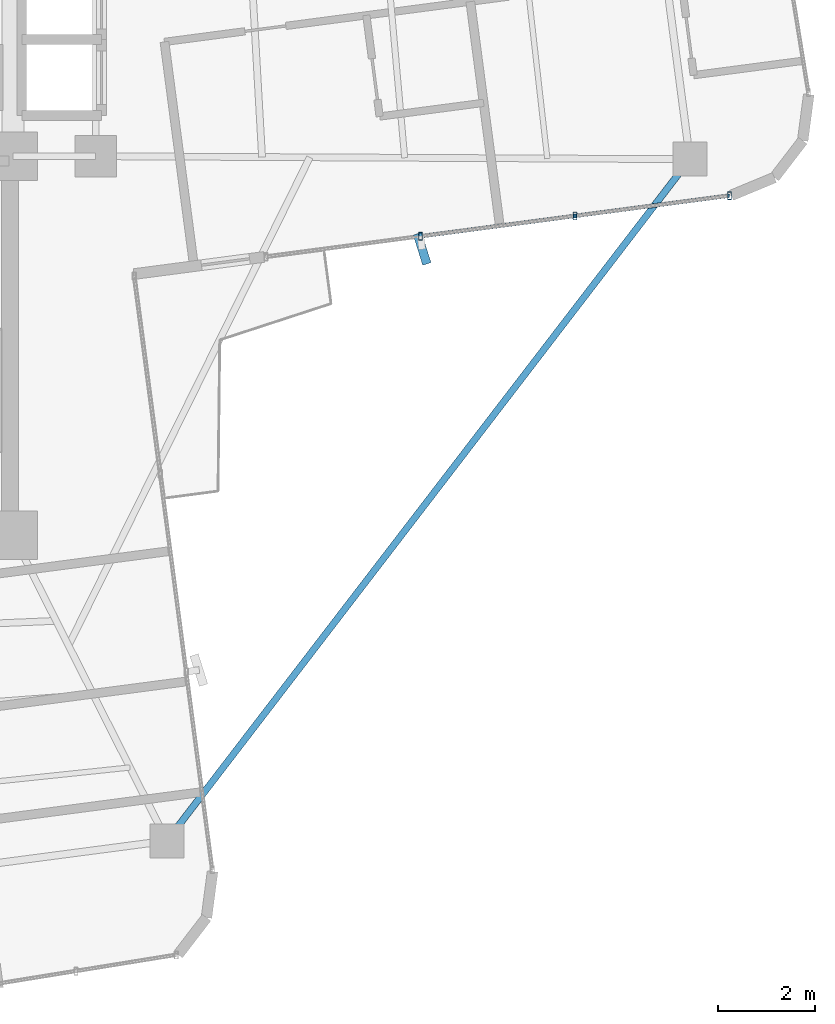
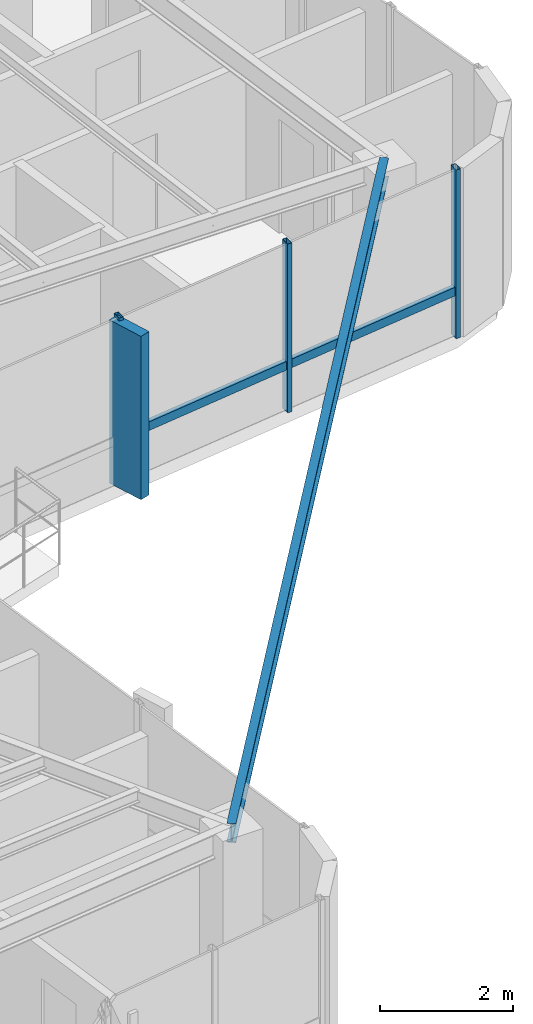
# One storey, part 12 of 23: 6 members, 1 beam, 1 element without a shape of its own.
"""IFC4 building model written with IfcOpenShell, lengths in metres."""

from ifc_helpers import new_model, si_unit, direction, frame, origin, origin_2d, place, context, subcontext, project, spatial, rectangle, hollow_rectangle, i_section, extrude, source, transform, mapped, material, material_profile, profile_set, type_object, element, aggregate, save


model = new_model("IFC4")

# Units and contexts
model_context = context("Model", 3, precision=1e-05, world=origin(), true_north=direction((0.0, 1.0)))
body_context = subcontext(model_context, "Body", "Model", "MODEL_VIEW")
ifc_project = project(units=[si_unit("LENGTHUNIT", "METRE"), si_unit("AREAUNIT", "SQUARE_METRE"), si_unit("VOLUMEUNIT", "CUBIC_METRE"), si_unit("PLANEANGLEUNIT", "RADIAN"), si_unit("MASSUNIT", "GRAM", prefix="KILO")], contexts=[model_context])

# Site, building, storey
site_placement = place(None, origin())
site = spatial("IfcSite", under=ifc_project, at=site_placement, CompositionType="ELEMENT")
building_placement = place(site_placement, origin())
building = spatial("IfcBuilding", under=site, at=building_placement, Name="Sahyath Konkavel Grand Hotel", CompositionType="ELEMENT")
storey_placement = place(building_placement, frame((0.0, 0.0, 254.550048828125)))
storey = spatial("IfcBuildingStorey", under=building, at=storey_placement, Name="L71", CompositionType="ELEMENT", Elevation=254.550048828125)

# Beam
ifc_material_1 = material(Name="Steel E350", Category="steel")
ifc_material_profile_1 = material_profile(ifc_material_1, i_section(OverallWidth=0.139892578125, OverallDepth=0.35009765625, WebThickness=0.008056640625, FlangeThickness=0.01416015625, FilletRadius=0.013916015625, at=origin_2d()), Name="ISMB 350")
ifc_profile_set_1 = profile_set([ifc_material_profile_1], Name="Steel E350")
beam_type = type_object("IfcBeamType", Name="BM-ISMB350", PredefinedType="BEAM", material=ifc_profile_set_1)
shared_shape_1 = source(origin(), body_context, "Body", "SweptSolid", [
    extrude(i_section(OverallWidth=0.139892578125, OverallDepth=0.35009765625, WebThickness=0.008056640625, FlangeThickness=0.01416015625, FilletRadius=0.013916015625, at=origin_2d()), origin(), (0.0, 0.0, 1.0), 17.676025390625),
])
beam_placement = place(storey_placement, frame((17.725830078125, -2.46142578125, 2.93505859375), z_axis=(-0.608759149705, -0.793355089258, 0.0), x_axis=(0.793355089258, -0.608759149705, 0.0)))
element("IfcBeam", 1, at=beam_placement, inside=storey, type_object=beam_type, Name="L71 Re-Entrant Tie Beam SE", PredefinedType="BEAM", context=body_context, shape_type="MappedRepresentation", body=[
    mapped(shared_shape_1, transform((0.0, 0.0, 0.0), scale=1.0)),
])

# Curtain wall, members
ifc_material_2 = material(Name="Anodised Bronze Aluminium & Low-E Glazing", Category="aluminium")
curtain_wall_type = type_object("IfcCurtainWallType", Name="CW-ZONE4", PredefinedType="NOTDEFINED", material=ifc_material_2)
curtain_wall_placement = place(storey_placement, origin())
curtain_wall = element("IfcCurtainWall", 2, at=curtain_wall_placement, inside=storey, type_object=curtain_wall_type, Name="L71 Unitised Curtain Wall F0", PredefinedType="NOTDEFINED")
ifc_material_3 = material(Name="Anodised Bronze Aluminium", Category="aluminium")
ifc_material_profile_2 = material_profile(ifc_material_3, hollow_rectangle(XDim=0.080078125, YDim=0.159912109375, WallThickness=0.006103515625, at=origin_2d()), Name="RHS 160x80x6")
ifc_profile_set_2 = profile_set([ifc_material_profile_2], Name="Anodised Bronze Aluminium")
member_type_1 = type_object("IfcMemberType", Name="CW-MUL-160", PredefinedType="MULLION", material=ifc_profile_set_2)
shared_shape_2 = source(origin(), body_context, "Body", "SweptSolid", [
    extrude(hollow_rectangle(XDim=0.080078125, YDim=0.159912109375, WallThickness=0.006103515625, at=origin_2d()), origin(), (0.0, 0.0, 1.0), 3.10986328125),
])
member_1_placement = place(storey_placement, frame((12.18310546875, -4.048583984375, 0.0), z_axis=(0.0, 0.0, 1.0), x_axis=(1.0, 0.0, 0.0)))
member_1 = element("IfcMember", 3, at=member_1_placement, type_object=member_type_1, Name="L71 Curtain Wall Mullion F0-1", PredefinedType="MULLION", context=body_context, shape_type="MappedRepresentation", body=[
    mapped(shared_shape_2, transform((0.0, 0.0, 0.0), scale=1.0)),
])
member_2_placement = place(storey_placement, frame((15.36181640625, -3.6298828125, 0.0), z_axis=(0.0, 0.0, 1.0), x_axis=(1.0, 0.0, 0.0)))
member_2 = element("IfcMember", 4, at=member_2_placement, type_object=member_type_1, Name="L71 Curtain Wall Mullion F0-2", PredefinedType="MULLION", context=body_context, shape_type="MappedRepresentation", body=[
    mapped(shared_shape_2, transform((0.0, 0.0, 0.0), scale=1.0)),
])
member_3_placement = place(storey_placement, frame((18.540771484375, -3.21142578125, 0.0), z_axis=(0.0, 0.0, 1.0), x_axis=(1.0, 0.0, 0.0)))
member_3 = element("IfcMember", 5, at=member_3_placement, type_object=member_type_1, Name="L71 Curtain Wall Mullion F0-3", PredefinedType="MULLION", context=body_context, shape_type="MappedRepresentation", body=[
    mapped(shared_shape_2, transform((0.0, 0.0, 0.0), scale=1.0)),
])
ifc_material_4 = material(Name="Warm Buff Sandstone Cladding on Concrete C50/60", Category="masonry")
ifc_material_profile_3 = material_profile(ifc_material_4, rectangle(XDim=0.179931640625, YDim=0.64990234375, at=origin_2d()), Name="FIN 180x650")
ifc_profile_set_3 = profile_set([ifc_material_profile_3], Name="Warm Buff Sandstone Cladding on Concrete C50/60")
member_type_2 = type_object("IfcMemberType", Name="FIN-SANDSTONE-650", PredefinedType="MULLION", material=ifc_profile_set_3)
shared_shape_3 = source(origin(), body_context, "Body", "SweptSolid", [
    extrude(rectangle(XDim=0.179931640625, YDim=0.64990234375, at=origin_2d()), origin(), (0.0, 0.0, 1.0), 3.010009765625),
])
member_4_placement = place(storey_placement, frame((12.216796875, -4.306396484375, 0.050048828125), z_axis=(0.0, 0.0, 1.0), x_axis=(0.954083620326, 0.299540390309, 0.0)))
member_4 = element("IfcMember", 6, at=member_4_placement, type_object=member_type_2, Name="L71 Sandstone Vertical Solar Fin FIN F0-1", PredefinedType="MULLION", context=body_context, shape_type="MappedRepresentation", body=[
    mapped(shared_shape_3, transform((0.0, 0.0, 0.0), scale=1.0)),
])
ifc_material_profile_4 = material_profile(ifc_material_3, hollow_rectangle(XDim=0.080078125, YDim=0.159912109375, WallThickness=0.006103515625, at=origin_2d()), Name="RHS 160x80x6")
ifc_profile_set_4 = profile_set([ifc_material_profile_4], Name="Anodised Bronze Aluminium")
member_type_3 = type_object("IfcMemberType", Name="CW-TRN-160", PredefinedType="USERDEFINED", material=ifc_profile_set_4)
shared_shape_4 = source(origin(), body_context, "Body", "SweptSolid", [
    extrude(hollow_rectangle(XDim=0.080078125, YDim=0.159912109375, WallThickness=0.006103515625, at=origin_2d()), origin(), (0.0, 0.0, 1.0), 3.206298828125),
])
member_5_placement = place(storey_placement, frame((15.36181640625, -3.6298828125, 0.849853515625), z_axis=(0.991447296707, 0.130507692693, 0.0), x_axis=(-0.130507692693, 0.991447296707, 0.0)))
member_5 = element("IfcMember", 7, at=member_5_placement, type_object=member_type_3, Name="L71 Curtain Wall Transom F0-2-spandrel", ObjectType="TRANSOM", PredefinedType="USERDEFINED", context=body_context, shape_type="MappedRepresentation", body=[
    mapped(shared_shape_4, transform((0.0, 0.0, 0.0), scale=1.0)),
])
shared_shape_5 = source(origin(), body_context, "Body", "SweptSolid", [
    extrude(hollow_rectangle(XDim=0.080078125, YDim=0.159912109375, WallThickness=0.006103515625, at=origin_2d()), origin(), (0.0, 0.0, 1.0), 3.2060546875),
])
member_6_placement = place(storey_placement, frame((12.18310546875, -4.048583984375, 0.849853515625), z_axis=(0.991436143334, 0.130592395224, 0.0), x_axis=(-0.130592395224, 0.991436143334, 0.0)))
member_6 = element("IfcMember", 8, at=member_6_placement, type_object=member_type_3, Name="L71 Curtain Wall Transom F0-1-spandrel", ObjectType="TRANSOM", PredefinedType="USERDEFINED", context=body_context, shape_type="MappedRepresentation", body=[
    mapped(shared_shape_5, transform((0.0, 0.0, 0.0), scale=1.0)),
])
aggregate(curtain_wall, [member_1, member_4, member_2, member_3, member_6, member_5])

save(model, "model.ifc")
